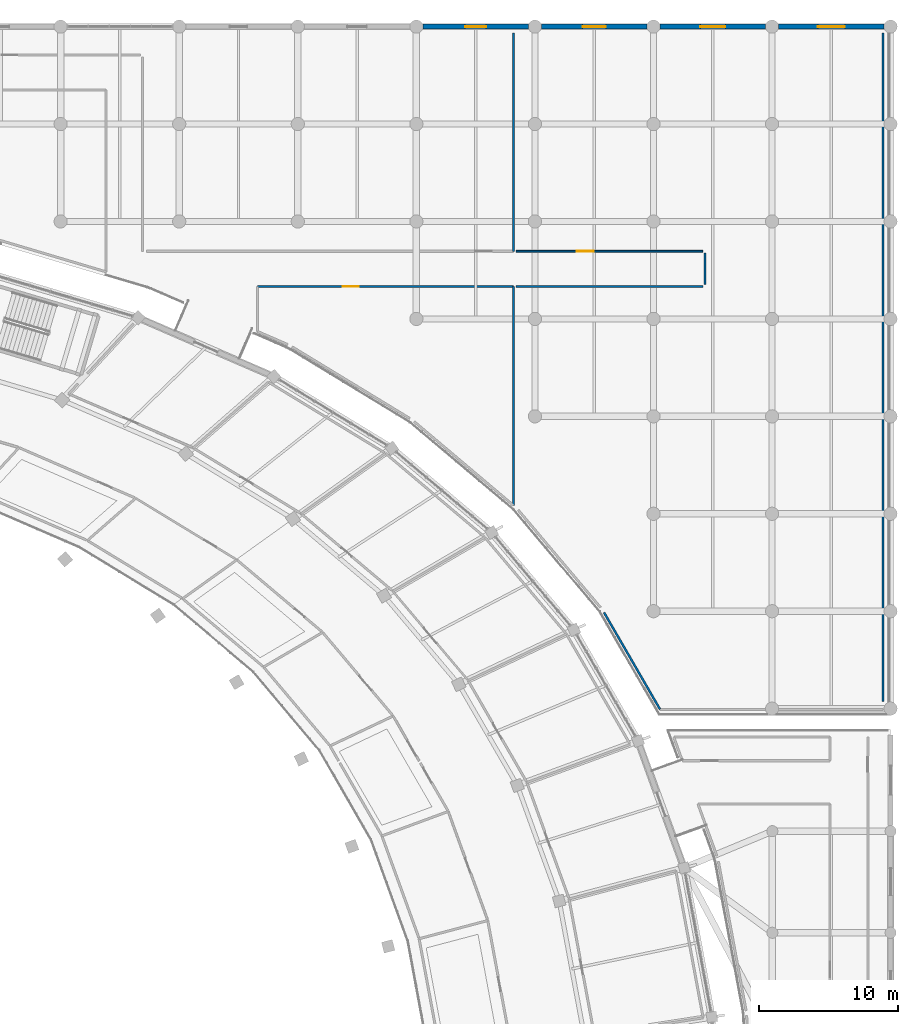
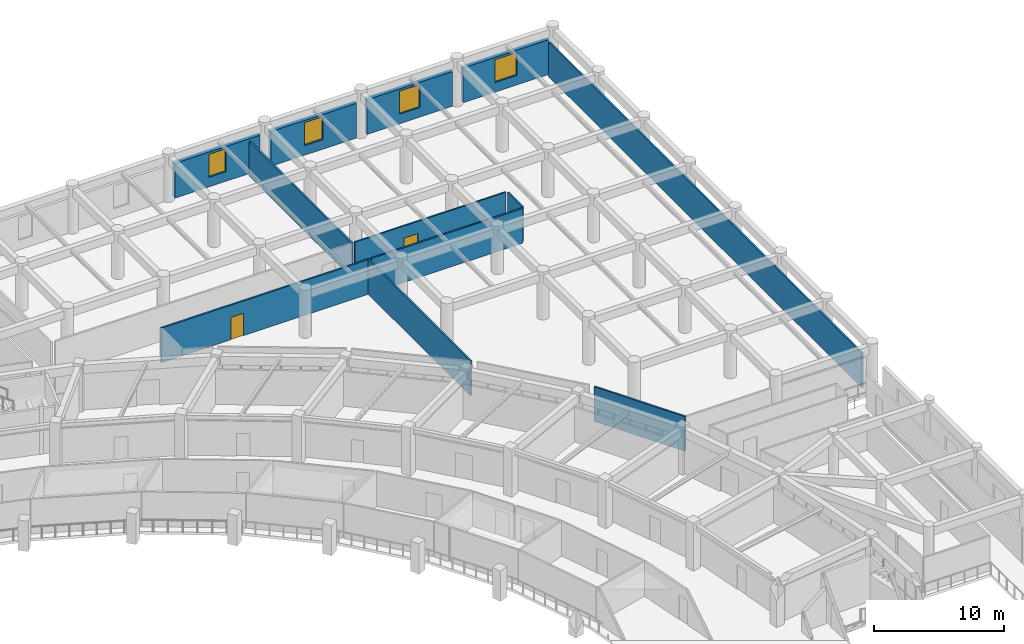
# One storey, part 110 of 141: 12 walls, 4 windows, 2 doors, 6 openings.
"""IFC4 building model written with IfcOpenShell, lengths in metres."""

from ifc_helpers import new_model, si_unit, direction, frame, frame_2d, origin, place, context, subcontext, project, spatial, rectangle, extrude, material, layer, layer_set, type_object, element, fill, save


model = new_model("IFC4")

# Units and contexts
model_context = context("Model", 3, precision=1e-05, world=origin(), true_north=direction((0.0, 1.0)))
body_context = subcontext(model_context, "Body", "Model", "MODEL_VIEW")
ifc_project = project(units=[si_unit("LENGTHUNIT", "METRE"), si_unit("AREAUNIT", "SQUARE_METRE"), si_unit("VOLUMEUNIT", "CUBIC_METRE"), si_unit("PLANEANGLEUNIT", "RADIAN"), si_unit("MASSUNIT", "GRAM", prefix="KILO")], contexts=[model_context])

# Site, building, storey
site_placement = place(None, origin())
site = spatial("IfcSite", under=ifc_project, at=site_placement, CompositionType="ELEMENT")
building_placement = place(site_placement, origin())
building = spatial("IfcBuilding", under=site, at=building_placement, Name="Mphavela Belvedere Stadium", CompositionType="ELEMENT")
storey_placement = place(building_placement, frame((0.0, 0.0, 14.699951171875)))
storey = spatial("IfcBuildingStorey", under=building, at=storey_placement, Name="L03", CompositionType="ELEMENT", Elevation=14.699951171875)

# Wall, opening, window
ifc_material_1 = material(Name="Honed ashlar limestone masonry", Category="masonry")
ifc_layer_1 = layer(ifc_material_1, 0.35009765625)
ifc_layer_set_1 = layer_set([ifc_layer_1], Name="Honed ashlar limestone masonry")
wall_type_1 = type_object("IfcWallType", Name="WAL-EXT-ASHLAR-350", PredefinedType="STANDARD", material=ifc_layer_set_1)
wall_1_placement = place(storey_placement, frame((196.39892578125, 174.0, 0.0), z_axis=(0.0, 0.0, 1.0), x_axis=(1.0, 0.0, 0.0)))
wall_1 = element("IfcWall", 1, at=wall_1_placement, inside=storey, type_object=wall_type_1, Name="North Mast and Ceremonial End Forecourt outer facade bay L03-24", PredefinedType="STANDARD", context=body_context, shape_type="SweptSolid", body=[
    extrude(rectangle(XDim=7.572021484375, YDim=0.35009765625, at=frame_2d((3.7861328125, 0.0))), origin(), (0.0, 0.0, 1.0), 3.260009765625),
])
opening_1_placement = place(wall_1_placement, frame((3.02587890625, 0.0, 0.89990234375)))
opening_1 = element("IfcOpeningElement", 2, at=opening_1_placement, cuts=wall_1, Name="Opening W-213", PredefinedType="OPENING", context=body_context, shape_type="SweptSolid", body=[
    extrude(rectangle(XDim=1.52001953125, YDim=2.14990234375, at=frame_2d((0.760009765625, 1.074951171875))), frame((0.0, 0.18505859375, 0.0), z_axis=(0.0, -1.0, 0.0), x_axis=(1.0, 0.0, 0.0)), (0.0, 0.0, 1.0), 0.3701171875),
])
ifc_material_2 = material(Name="Bronze-anodised thermally broken aluminium window", Category="aluminium")
window_type_1 = type_object("IfcWindowType", Name="WIN-EXT-37", PartitioningType="SINGLE_PANEL", PredefinedType="WINDOW", material=ifc_material_2)
window_1_placement = place(opening_1_placement, origin())
window_1 = element("IfcWindow", 3, at=window_1_placement, inside=storey, type_object=window_type_1, Name="North Mast and Ceremonial End Forecourt classical window W-213", OverallHeight=2.14990234375, OverallWidth=1.52001953125, PartitioningType="SINGLE_PANEL", PredefinedType="WINDOW", context=body_context, shape_type="SweptSolid", body=[
    extrude(rectangle(XDim=1.52001953125, YDim=2.14990234375, at=frame_2d((0.760009765625, 1.074951171875))), frame((0.0, 0.030029296875, 0.0), z_axis=(0.0, -1.0, 0.0), x_axis=(1.0, 0.0, 0.0)), (0.0, 0.0, 1.0), 0.06005859375),
])
fill(opening_1, window_1)

wall_2_placement = place(storey_placement, frame((204.9169921875, 174.0, 0.0), z_axis=(0.0, 0.0, 1.0), x_axis=(1.0, 0.0, 0.0)))
wall_2 = element("IfcWall", 4, at=wall_2_placement, inside=storey, type_object=wall_type_1, Name="North Mast and Ceremonial End Forecourt outer facade bay L03-25", PredefinedType="STANDARD", context=body_context, shape_type="SweptSolid", body=[
    extrude(rectangle(XDim=7.572998046875, YDim=0.35009765625, at=frame_2d((3.78662109375, 0.0))), origin(), (0.0, 0.0, 1.0), 3.260009765625),
])
opening_2_placement = place(wall_2_placement, frame((2.95654296875, 0.0, 0.89990234375)))
opening_2 = element("IfcOpeningElement", 5, at=opening_2_placement, cuts=wall_2, Name="Opening W-214", PredefinedType="OPENING", context=body_context, shape_type="SweptSolid", body=[
    extrude(rectangle(XDim=1.659912109375, YDim=2.14990234375, at=frame_2d((0.830078125, 1.074951171875))), frame((0.0, 0.18505859375, 0.0), z_axis=(0.0, -1.0, 0.0), x_axis=(1.0, 0.0, 0.0)), (0.0, 0.0, 1.0), 0.3701171875),
])
ifc_material_3 = material(Name="Bronze-anodised thermally broken aluminium window", Category="aluminium")
window_type_2 = type_object("IfcWindowType", Name="WIN-EXT-38", PartitioningType="SINGLE_PANEL", PredefinedType="WINDOW", material=ifc_material_3)
window_2_placement = place(opening_2_placement, origin())
window_2 = element("IfcWindow", 6, at=window_2_placement, inside=storey, type_object=window_type_2, Name="North Mast and Ceremonial End Forecourt classical window W-214", OverallHeight=2.14990234375, OverallWidth=1.659912109375, PartitioningType="SINGLE_PANEL", PredefinedType="WINDOW", context=body_context, shape_type="SweptSolid", body=[
    extrude(rectangle(XDim=1.659912109375, YDim=2.14990234375, at=frame_2d((0.830078125, 1.074951171875))), frame((0.0, 0.030029296875, 0.0), z_axis=(0.0, -1.0, 0.0), x_axis=(1.0, 0.0, 0.0)), (0.0, 0.0, 1.0), 0.06005859375),
])
fill(opening_2, window_2)

wall_3_placement = place(storey_placement, frame((213.43603515625, 174.0, 0.0), z_axis=(0.0, 0.0, 1.0), x_axis=(1.0, 0.0, 0.0)))
wall_3 = element("IfcWall", 7, at=wall_3_placement, inside=storey, type_object=wall_type_1, Name="North Mast and Ceremonial End Forecourt outer facade bay L03-26", PredefinedType="STANDARD", context=body_context, shape_type="SweptSolid", body=[
    extrude(rectangle(XDim=7.572021484375, YDim=0.35009765625, at=frame_2d((3.7861328125, 0.0))), origin(), (0.0, 0.0, 1.0), 3.260009765625),
])
opening_3_placement = place(wall_3_placement, frame((2.885986328125, 0.0, 0.89990234375)))
opening_3 = element("IfcOpeningElement", 8, at=opening_3_placement, cuts=wall_3, Name="Opening W-215", PredefinedType="OPENING", context=body_context, shape_type="SweptSolid", body=[
    extrude(rectangle(XDim=1.800048828125, YDim=2.14990234375, at=frame_2d((0.89990234375, 1.074951171875))), frame((0.0, 0.18505859375, 0.0), z_axis=(0.0, -1.0, 0.0), x_axis=(1.0, 0.0, 0.0)), (0.0, 0.0, 1.0), 0.3701171875),
])
ifc_material_4 = material(Name="Bronze-anodised thermally broken aluminium window", Category="aluminium")
window_type_3 = type_object("IfcWindowType", Name="WIN-EXT-39", PartitioningType="SINGLE_PANEL", PredefinedType="WINDOW", material=ifc_material_4)
window_3_placement = place(opening_3_placement, origin())
window_3 = element("IfcWindow", 9, at=window_3_placement, inside=storey, type_object=window_type_3, Name="North Mast and Ceremonial End Forecourt classical window W-215", OverallHeight=2.14990234375, OverallWidth=1.800048828125, PartitioningType="SINGLE_PANEL", PredefinedType="WINDOW", context=body_context, shape_type="SweptSolid", body=[
    extrude(rectangle(XDim=1.800048828125, YDim=2.14990234375, at=frame_2d((0.89990234375, 1.074951171875))), frame((0.0, 0.030029296875, 0.0), z_axis=(0.0, -1.0, 0.0), x_axis=(1.0, 0.0, 0.0)), (0.0, 0.0, 1.0), 0.06005859375),
])
fill(opening_3, window_3)

wall_4_placement = place(storey_placement, frame((221.9541015625, 174.0, 0.0), z_axis=(0.0, 0.0, 1.0), x_axis=(1.0, 0.0, 0.0)))
wall_4 = element("IfcWall", 10, at=wall_4_placement, inside=storey, type_object=wall_type_1, Name="North Mast and Ceremonial End Forecourt outer facade bay L03-27", PredefinedType="STANDARD", context=body_context, shape_type="SweptSolid", body=[
    extrude(rectangle(XDim=7.572998046875, YDim=0.35009765625, at=frame_2d((3.78662109375, 0.0))), origin(), (0.0, 0.0, 1.0), 3.260009765625),
])
opening_4_placement = place(wall_4_placement, frame((2.81640625, 0.0, 0.89990234375)))
opening_4 = element("IfcOpeningElement", 11, at=opening_4_placement, cuts=wall_4, Name="Opening W-216", PredefinedType="OPENING", context=body_context, shape_type="SweptSolid", body=[
    extrude(rectangle(XDim=1.93994140625, YDim=2.14990234375, at=frame_2d((0.969970703125, 1.074951171875))), frame((0.0, 0.18505859375, 0.0), z_axis=(0.0, -1.0, 0.0), x_axis=(1.0, 0.0, 0.0)), (0.0, 0.0, 1.0), 0.3701171875),
])
ifc_material_5 = material(Name="Bronze-anodised thermally broken aluminium window", Category="aluminium")
window_type_4 = type_object("IfcWindowType", Name="WIN-EXT-40", PartitioningType="SINGLE_PANEL", PredefinedType="WINDOW", material=ifc_material_5)
window_4_placement = place(opening_4_placement, origin())
window_4 = element("IfcWindow", 12, at=window_4_placement, inside=storey, type_object=window_type_4, Name="North Mast and Ceremonial End Forecourt classical window W-216", OverallHeight=2.14990234375, OverallWidth=1.93994140625, PartitioningType="SINGLE_PANEL", PredefinedType="WINDOW", context=body_context, shape_type="SweptSolid", body=[
    extrude(rectangle(XDim=1.93994140625, YDim=2.14990234375, at=frame_2d((0.969970703125, 1.074951171875))), frame((0.0, 0.030029296875, 0.0), z_axis=(0.0, -1.0, 0.0), x_axis=(1.0, 0.0, 0.0)), (0.0, 0.0, 1.0), 0.06005859375),
])
fill(opening_4, window_4)

# Wall, opening, door
ifc_material_6 = material(Name="Moisture-resistant sanitary partition assembly")
ifc_layer_2 = layer(ifc_material_6, 0.125)
ifc_layer_set_2 = layer_set([ifc_layer_2], Name="Moisture-resistant sanitary partition assembly")
wall_type_2 = type_object("IfcWallType", Name="WAL-PART-125", PredefinedType="PARTITIONING", material=ifc_layer_set_2)
wall_5_placement = place(storey_placement, frame((216.5, 157.860107421875, 0.0), z_axis=(0.0, 0.0, 1.0), x_axis=(-1.0, 0.0, 0.0)))
wall_5 = element("IfcWall", 13, at=wall_5_placement, inside=storey, type_object=wall_type_2, Name="Room L03-186 corridor partition", PredefinedType="PARTITIONING", context=body_context, shape_type="SweptSolid", body=[
    extrude(rectangle(XDim=13.39990234375, YDim=0.125, at=frame_2d((6.699951171875, 0.0))), origin(), (0.0, 0.0, 1.0), 3.25),
])
opening_5_placement = place(wall_5_placement, frame((7.821044921875, 0.0, 0.0)))
opening_5 = element("IfcOpeningElement", 14, at=opening_5_placement, cuts=wall_5, Name="Opening ID-477", PredefinedType="OPENING", context=body_context, shape_type="SweptSolid", body=[
    extrude(rectangle(XDim=1.219970703125, YDim=2.10009765625, at=frame_2d((0.60986328125, 1.050048828125))), frame((0.0, 0.072509765625, 0.0), z_axis=(0.0, -1.0, 0.0), x_axis=(1.0, 0.0, 0.0)), (0.0, 0.0, 1.0), 0.14501953125),
])
ifc_material_7 = material(Name="Hardwood acoustic timber doorset", Category="wood")
door_type_1 = type_object("IfcDoorType", Name="DR-INT-09", OperationType="NOTDEFINED", PredefinedType="DOOR", material=ifc_material_7)
door_1_placement = place(opening_5_placement, origin())
door_1 = element("IfcDoor", 15, at=door_1_placement, inside=storey, type_object=door_type_1, Name="Room L03-186 entrance door ID-477", OperationType="SINGLE_SWING_LEFT", OverallHeight=2.10009765625, OverallWidth=1.219970703125, PredefinedType="DOOR", context=body_context, shape_type="SweptSolid", body=[
    extrude(rectangle(XDim=1.219970703125, YDim=2.10009765625, at=frame_2d((0.60986328125, 1.050048828125))), frame((0.0, 0.02490234375, 0.0), z_axis=(0.0, -1.0, 0.0), x_axis=(1.0, 0.0, 0.0)), (0.0, 0.0, 1.0), 0.050048828125),
])
fill(opening_5, door_1)

ifc_material_8 = material(Name="Acoustic gypsum stud partition assembly")
ifc_layer_3 = layer(ifc_material_8, 0.14990234375)
ifc_layer_set_3 = layer_set([ifc_layer_3], Name="Acoustic gypsum stud partition assembly")
wall_type_3 = type_object("IfcWallType", Name="WAL-PART-150", PredefinedType="PARTITIONING", material=ifc_layer_set_3)
wall_6_placement = place(storey_placement, frame((184.510009765625, 155.340087890625, 0.0), z_axis=(0.0, 0.0, 1.0), x_axis=(1.0, 0.0, 0.0)))
wall_6 = element("IfcWall", 16, at=wall_6_placement, inside=storey, type_object=wall_type_3, Name="Room L03-184 corridor partition", PredefinedType="PARTITIONING", context=body_context, shape_type="SweptSolid", body=[
    extrude(rectangle(XDim=18.389892578125, YDim=0.14990234375, at=frame_2d((9.19482421875, 0.0))), origin(), (0.0, 0.0, 1.0), 3.25),
])
opening_6_placement = place(wall_6_placement, frame((6.133544921875, 0.0, 0.0)))
opening_6 = element("IfcOpeningElement", 17, at=opening_6_placement, cuts=wall_6, Name="Opening ID-475", PredefinedType="OPENING", context=body_context, shape_type="SweptSolid", body=[
    extrude(rectangle(XDim=1.139892578125, YDim=2.10009765625, at=frame_2d((0.56982421875, 1.050048828125))), frame((0.0, 0.0849609375, 0.0), z_axis=(0.0, -1.0, 0.0), x_axis=(1.0, 0.0, 0.0)), (0.0, 0.0, 1.0), 0.169921875),
])
ifc_material_9 = material(Name="Hardwood acoustic timber doorset", Category="wood")
door_type_2 = type_object("IfcDoorType", Name="DR-INT-07", OperationType="NOTDEFINED", PredefinedType="DOOR", material=ifc_material_9)
door_2_placement = place(opening_6_placement, origin())
door_2 = element("IfcDoor", 18, at=door_2_placement, inside=storey, type_object=door_type_2, Name="Room L03-184 entrance door ID-475", OperationType="SINGLE_SWING_LEFT", OverallHeight=2.10009765625, OverallWidth=1.139892578125, PredefinedType="DOOR", context=body_context, shape_type="SweptSolid", body=[
    extrude(rectangle(XDim=1.139892578125, YDim=2.10009765625, at=frame_2d((0.56982421875, 1.050048828125))), frame((0.0, 0.02490234375, 0.0), z_axis=(0.0, -1.0, 0.0), x_axis=(1.0, 0.0, 0.0)), (0.0, 0.0, 1.0), 0.050048828125),
])
fill(opening_6, door_2)

# Walls
wall_7_placement = place(storey_placement, frame((202.89990234375, 155.340087890625, 0.0), z_axis=(0.0, 0.0, 1.0), x_axis=(0.0, -1.0, 0.0)))
element("IfcWall", 19, at=wall_7_placement, inside=storey, type_object=wall_type_3, Name="Room divider partition L03-1059", PredefinedType="PARTITIONING", context=body_context, shape_type="SweptSolid", body=[
    extrude(rectangle(XDim=15.7333984375, YDim=0.14990234375, at=frame_2d((7.86669921875, 0.0))), origin(), (0.0, 0.0, 1.0), 3.25),
])
wall_8_placement = place(storey_placement, frame((202.89990234375, 173.550048828125, 0.0), z_axis=(0.0, 0.0, 1.0), x_axis=(0.0, -1.0, 0.0)))
element("IfcWall", 20, at=wall_8_placement, inside=storey, type_object=wall_type_3, Name="Room divider partition L03-1061", PredefinedType="PARTITIONING", context=body_context, shape_type="SweptSolid", body=[
    extrude(rectangle(XDim=15.68994140625, YDim=0.14990234375, at=frame_2d((7.844970703125, 0.0))), origin(), (0.0, 0.0, 1.0), 3.25),
])
wall_9_placement = place(storey_placement, frame((203.10009765625, 155.340087890625, 0.0), z_axis=(0.0, 0.0, 1.0), x_axis=(0.99999997621, 0.00021812629, 0.0)))
element("IfcWall", 21, at=wall_9_placement, inside=storey, type_object=wall_type_3, Name="Room divider partition L03-1063", PredefinedType="PARTITIONING", context=body_context, shape_type="SweptSolid", body=[
    extrude(rectangle(XDim=13.43115234375, YDim=0.14990234375, at=frame_2d((6.715576171875, 0.0))), origin(), (0.0, 0.0, 1.0), 3.25),
])
wall_10_placement = place(storey_placement, frame((216.6591796875, 155.484375, 0.0), z_axis=(0.0, 0.0, 1.0), x_axis=(-0.000977941508, 0.999999521815, 0.0)))
element("IfcWall", 22, at=wall_10_placement, inside=storey, type_object=wall_type_3, Name="Room divider partition L03-1064", PredefinedType="PARTITIONING", context=body_context, shape_type="SweptSolid", body=[
    extrude(rectangle(XDim=2.246826171875, YDim=0.14990234375, at=frame_2d((1.12353515625, 0.0))), origin(), (0.0, 0.0, 1.0), 3.25),
])
wall_11_placement = place(storey_placement, frame((229.449951171875, 173.550048828125, 0.0), z_axis=(0.0, 0.0, 1.0), x_axis=(0.0, -1.0, 0.0)))
element("IfcWall", 23, at=wall_11_placement, inside=storey, type_object=wall_type_3, Name="Room divider partition L03-1065", PredefinedType="PARTITIONING", context=body_context, shape_type="SweptSolid", body=[
    extrude(rectangle(XDim=48.050048828125, YDim=0.14990234375, at=frame_2d((24.02490234375, 0.0))), origin(), (0.0, 0.0, 1.0), 3.25),
])
wall_12_placement = place(storey_placement, frame((213.4326171875, 124.949951171875, 0.0), z_axis=(0.0, 0.0, 1.0), x_axis=(-0.500545605998, 0.865710168773, 0.0)))
element("IfcWall", 24, at=wall_12_placement, inside=storey, type_object=wall_type_3, Name="Room divider partition L03-1067", PredefinedType="PARTITIONING", context=body_context, shape_type="SweptSolid", body=[
    extrude(rectangle(XDim=8.04296875, YDim=0.14990234375, at=frame_2d((4.021484375, 0.0))), origin(), (0.0, 0.0, 1.0), 3.25),
])

save(model, "model.ifc")
